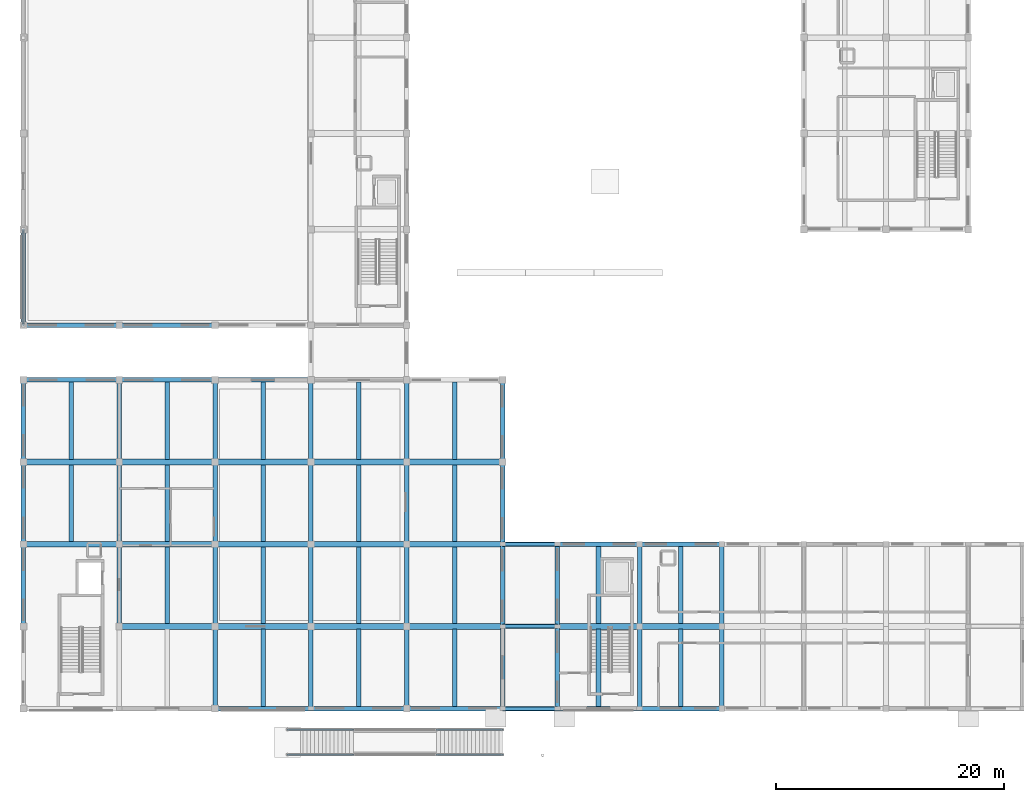
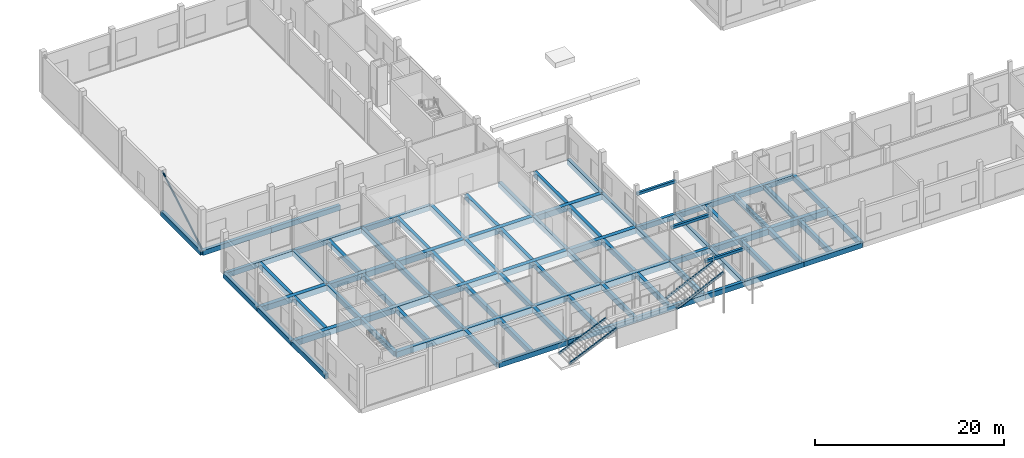
# One storey, part 9 of 41: 84 beams, 5 members.
"""IFC4 building model written with IfcOpenShell, lengths in metres."""

from ifc_helpers import new_model, si_unit, direction, frame, origin, origin_2d, place, context, subcontext, project, spatial, rectangle, hollow_circle, i_section, extrude, material, material_profile, profile_set, type_object, element, save


model = new_model("IFC4")

# Units and contexts
model_context = context("Model", 3, precision=1e-05, world=origin(), true_north=direction((0.0, 1.0)))
body_context = subcontext(model_context, "Body", "Model", "MODEL_VIEW")
ifc_project = project(units=[si_unit("LENGTHUNIT", "METRE"), si_unit("AREAUNIT", "SQUARE_METRE"), si_unit("VOLUMEUNIT", "CUBIC_METRE"), si_unit("PLANEANGLEUNIT", "RADIAN"), si_unit("MASSUNIT", "GRAM", prefix="KILO")], contexts=[model_context])

# Site, building, storey
site_placement = place(None, origin())
site = spatial("IfcSite", under=ifc_project, at=site_placement, CompositionType="ELEMENT")
building_placement = place(site_placement, origin())
building = spatial("IfcBuilding", under=site, at=building_placement, Name="Kahlenmark Community Centre", CompositionType="ELEMENT")
storey_placement = place(building_placement, origin())
storey = spatial("IfcBuildingStorey", under=building, at=storey_placement, Name="L00", CompositionType="ELEMENT", Elevation=0.0)

# Beams
ifc_material_1 = material(Name="Concrete C35/45", Category="concrete")
ifc_material_profile_1 = material_profile(ifc_material_1, rectangle(XDim=0.39990234375, YDim=0.64990234375, at=origin_2d()), Name="RC 400x650")
ifc_profile_set_1 = profile_set([ifc_material_profile_1], Name="Concrete C35/45")
beam_type_1 = type_object("IfcBeamType", Name="BT-BEAM-RC400x650", PredefinedType="BEAM", material=ifc_profile_set_1)
for number, where, z_axis, x_axis, name in (
    (1, (12.39990234375, 16.0, -0.324951171875), (0.0, 1.0, 0.0), (-1.0, 0.0, 0.0), "L00 beam BG-RC400x650"),
    (2, (12.39990234375, 23.199951171875, -0.324951171875), (0.0, 1.0, 0.0), (-1.0, 0.0, 0.0), "L00 beam BG-RC400x650"),
):
    element("IfcBeam", number, at=place(storey_placement, frame(where, z_axis=z_axis, x_axis=x_axis)), inside=storey, type_object=beam_type_1, Name=name, PredefinedType="BEAM", context=body_context, shape_type="SweptSolid", body=[
        extrude(rectangle(XDim=0.39990234375, YDim=0.64990234375, at=origin_2d()), origin(), (0.0, 0.0, 1.0), 7.199951171875),
    ])
beam_1_placement = place(storey_placement, frame((12.39990234375, 30.39990234375, -0.324951171875), z_axis=(0.0, 1.0, 0.0), x_axis=(-1.0, 0.0, 0.0)))
element("IfcBeam", 3, at=beam_1_placement, inside=storey, type_object=beam_type_1, Name="L00 beam BG-RC400x650", PredefinedType="BEAM", context=body_context, shape_type="SweptSolid", body=[
    extrude(rectangle(XDim=0.39990234375, YDim=0.64990234375, at=origin_2d()), origin(), (0.0, 0.0, 1.0), 7.2001953125),
])
for number, where, z_axis, x_axis, name in (
    (4, (20.800048828125, 8.800048828125, -0.324951171875), (0.0, 1.0, 0.0), (-1.0, 0.0, 0.0), "L00 beam BG-RC400x650"),
    (5, (20.800048828125, 16.0, -0.324951171875), (0.0, 1.0, 0.0), (-1.0, 0.0, 0.0), "L00 beam BG-RC400x650"),
    (6, (20.800048828125, 23.199951171875, -0.324951171875), (0.0, 1.0, 0.0), (-1.0, 0.0, 0.0), "L00 beam BG-RC400x650"),
):
    element("IfcBeam", number, at=place(storey_placement, frame(where, z_axis=z_axis, x_axis=x_axis)), inside=storey, type_object=beam_type_1, Name=name, PredefinedType="BEAM", context=body_context, shape_type="SweptSolid", body=[
        extrude(rectangle(XDim=0.39990234375, YDim=0.64990234375, at=origin_2d()), origin(), (0.0, 0.0, 1.0), 7.199951171875),
    ])
beam_2_placement = place(storey_placement, frame((20.800048828125, 30.39990234375, -0.324951171875), z_axis=(0.0, 1.0, 0.0), x_axis=(-1.0, 0.0, 0.0)))
element("IfcBeam", 7, at=beam_2_placement, inside=storey, type_object=beam_type_1, Name="L00 beam BG-RC400x650", PredefinedType="BEAM", context=body_context, shape_type="SweptSolid", body=[
    extrude(rectangle(XDim=0.39990234375, YDim=0.64990234375, at=origin_2d()), origin(), (0.0, 0.0, 1.0), 7.2001953125),
])
for number, where, z_axis, x_axis, name in (
    (8, (29.199951171875, 8.800048828125, -0.324951171875), (0.0, 1.0, 0.0), (-1.0, 0.0, 0.0), "L00 beam BG-RC400x650"),
    (9, (29.199951171875, 16.0, -0.324951171875), (0.0, 1.0, 0.0), (-1.0, 0.0, 0.0), "L00 beam BG-RC400x650"),
    (10, (29.199951171875, 23.199951171875, -0.324951171875), (0.0, 1.0, 0.0), (-1.0, 0.0, 0.0), "L00 beam BG-RC400x650"),
):
    element("IfcBeam", number, at=place(storey_placement, frame(where, z_axis=z_axis, x_axis=x_axis)), inside=storey, type_object=beam_type_1, Name=name, PredefinedType="BEAM", context=body_context, shape_type="SweptSolid", body=[
        extrude(rectangle(XDim=0.39990234375, YDim=0.64990234375, at=origin_2d()), origin(), (0.0, 0.0, 1.0), 7.199951171875),
    ])
beam_3_placement = place(storey_placement, frame((29.199951171875, 30.39990234375, -0.324951171875), z_axis=(0.0, 1.0, 0.0), x_axis=(-1.0, 0.0, 0.0)))
element("IfcBeam", 11, at=beam_3_placement, inside=storey, type_object=beam_type_1, Name="L00 beam BG-RC400x650", PredefinedType="BEAM", context=body_context, shape_type="SweptSolid", body=[
    extrude(rectangle(XDim=0.39990234375, YDim=0.64990234375, at=origin_2d()), origin(), (0.0, 0.0, 1.0), 7.2001953125),
])
for number, where, z_axis, x_axis, name in (
    (12, (37.60009765625, 8.800048828125, -0.324951171875), (0.0, 1.0, 0.0), (-1.0, 0.0, 0.0), "L00 beam BG-RC400x650"),
    (13, (37.60009765625, 16.0, -0.324951171875), (0.0, 1.0, 0.0), (-1.0, 0.0, 0.0), "L00 beam BG-RC400x650"),
    (14, (37.60009765625, 23.199951171875, -0.324951171875), (0.0, 1.0, 0.0), (-1.0, 0.0, 0.0), "L00 beam BG-RC400x650"),
):
    element("IfcBeam", number, at=place(storey_placement, frame(where, z_axis=z_axis, x_axis=x_axis)), inside=storey, type_object=beam_type_1, Name=name, PredefinedType="BEAM", context=body_context, shape_type="SweptSolid", body=[
        extrude(rectangle(XDim=0.39990234375, YDim=0.64990234375, at=origin_2d()), origin(), (0.0, 0.0, 1.0), 7.199951171875),
    ])
beam_4_placement = place(storey_placement, frame((37.60009765625, 30.39990234375, -0.324951171875), z_axis=(0.0, 1.0, 0.0), x_axis=(-1.0, 0.0, 0.0)))
element("IfcBeam", 15, at=beam_4_placement, inside=storey, type_object=beam_type_1, Name="L00 beam BG-RC400x650", PredefinedType="BEAM", context=body_context, shape_type="SweptSolid", body=[
    extrude(rectangle(XDim=0.39990234375, YDim=0.64990234375, at=origin_2d()), origin(), (0.0, 0.0, 1.0), 7.2001953125),
])
for number, where, z_axis, x_axis, name in (
    (16, (58.0, 8.800048828125, -0.324951171875), (0.0, 1.0, 0.0), (-1.0, 0.0, 0.0), "L00 beam BG-RC400x650"),
    (17, (58.0, 16.0, -0.324951171875), (0.0, 1.0, 0.0), (-1.0, 0.0, 0.0), "L00 beam BG-RC400x650"),
    (18, (65.199951171875, 8.800048828125, -0.324951171875), (0.0, 1.0, 0.0), (-1.0, 0.0, 0.0), "L00 beam BG-RC400x650"),
    (19, (65.199951171875, 16.0, -0.324951171875), (0.0, 1.0, 0.0), (-1.0, 0.0, 0.0), "L00 beam BG-RC400x650"),
):
    element("IfcBeam", number, at=place(storey_placement, frame(where, z_axis=z_axis, x_axis=x_axis)), inside=storey, type_object=beam_type_1, Name=name, PredefinedType="BEAM", context=body_context, shape_type="SweptSolid", body=[
        extrude(rectangle(XDim=0.39990234375, YDim=0.64990234375, at=origin_2d()), origin(), (0.0, 0.0, 1.0), 7.199951171875),
    ])
ifc_material_profile_2 = material_profile(ifc_material_1, rectangle(XDim=0.5, YDim=0.75, at=origin_2d()), Name="RC 500x750")
ifc_profile_set_2 = profile_set([ifc_material_profile_2], Name="Concrete C35/45")
beam_type_2 = type_object("IfcBeamType", Name="BT-BEAM-RC500x750", PredefinedType="BEAM", material=ifc_profile_set_2)
beam_5_placement = place(storey_placement, frame((12.39990234375, 16.0, -0.375), z_axis=(1.0, 0.0, 0.0), x_axis=(0.0, 1.0, 0.0)))
element("IfcBeam", 20, at=beam_5_placement, inside=storey, type_object=beam_type_2, Name="L00 beam BG-RC500x750", PredefinedType="BEAM", context=body_context, shape_type="SweptSolid", body=[
    extrude(rectangle(XDim=0.5, YDim=0.75, at=origin_2d()), origin(), (0.0, 0.0, 1.0), 8.400146484375),
])
beam_6_placement = place(storey_placement, frame((20.800048828125, 16.0, -0.375), z_axis=(1.0, 0.0, 0.0), x_axis=(0.0, 1.0, 0.0)))
element("IfcBeam", 21, at=beam_6_placement, inside=storey, type_object=beam_type_2, Name="L00 beam BG-RC500x750", PredefinedType="BEAM", context=body_context, shape_type="SweptSolid", body=[
    extrude(rectangle(XDim=0.5, YDim=0.75, at=origin_2d()), origin(), (0.0, 0.0, 1.0), 8.39990234375),
])
beam_7_placement = place(storey_placement, frame((29.199951171875, 16.0, -0.375), z_axis=(1.0, 0.0, 0.0), x_axis=(0.0, 1.0, 0.0)))
element("IfcBeam", 22, at=beam_7_placement, inside=storey, type_object=beam_type_2, Name="L00 beam BG-RC500x750", PredefinedType="BEAM", context=body_context, shape_type="SweptSolid", body=[
    extrude(rectangle(XDim=0.5, YDim=0.75, at=origin_2d()), origin(), (0.0, 0.0, 1.0), 8.400146484375),
])
for number, where, z_axis, x_axis, name in (
    (23, (37.60009765625, 16.0, -0.375), (1.0, 0.0, 0.0), (0.0, 1.0, 0.0), "L00 beam BG-RC500x750"),
    (24, (4.0, 23.199951171875, -0.375), (1.0, 0.0, 0.0), (0.0, 1.0, 0.0), "L00 beam BG-RC500x750"),
):
    element("IfcBeam", number, at=place(storey_placement, frame(where, z_axis=z_axis, x_axis=x_axis)), inside=storey, type_object=beam_type_2, Name=name, PredefinedType="BEAM", context=body_context, shape_type="SweptSolid", body=[
        extrude(rectangle(XDim=0.5, YDim=0.75, at=origin_2d()), origin(), (0.0, 0.0, 1.0), 8.39990234375),
    ])
beam_8_placement = place(storey_placement, frame((12.39990234375, 23.199951171875, -0.375), z_axis=(1.0, 0.0, 0.0), x_axis=(0.0, 1.0, 0.0)))
element("IfcBeam", 25, at=beam_8_placement, inside=storey, type_object=beam_type_2, Name="L00 beam BG-RC500x750", PredefinedType="BEAM", context=body_context, shape_type="SweptSolid", body=[
    extrude(rectangle(XDim=0.5, YDim=0.75, at=origin_2d()), origin(), (0.0, 0.0, 1.0), 8.400146484375),
])
beam_9_placement = place(storey_placement, frame((20.800048828125, 23.199951171875, -0.375), z_axis=(1.0, 0.0, 0.0), x_axis=(0.0, 1.0, 0.0)))
element("IfcBeam", 26, at=beam_9_placement, inside=storey, type_object=beam_type_2, Name="L00 beam BG-RC500x750", PredefinedType="BEAM", context=body_context, shape_type="SweptSolid", body=[
    extrude(rectangle(XDim=0.5, YDim=0.75, at=origin_2d()), origin(), (0.0, 0.0, 1.0), 8.39990234375),
])
beam_10_placement = place(storey_placement, frame((29.199951171875, 23.199951171875, -0.375), z_axis=(1.0, 0.0, 0.0), x_axis=(0.0, 1.0, 0.0)))
element("IfcBeam", 27, at=beam_10_placement, inside=storey, type_object=beam_type_2, Name="L00 beam BG-RC500x750", PredefinedType="BEAM", context=body_context, shape_type="SweptSolid", body=[
    extrude(rectangle(XDim=0.5, YDim=0.75, at=origin_2d()), origin(), (0.0, 0.0, 1.0), 8.400146484375),
])
for number, where, z_axis, x_axis, name in (
    (28, (37.60009765625, 23.199951171875, -0.375), (1.0, 0.0, 0.0), (0.0, 1.0, 0.0), "L00 beam BG-RC500x750"),
    (29, (4.0, 30.39990234375, -0.375), (1.0, 0.0, 0.0), (0.0, 1.0, 0.0), "L00 beam BG-RC500x750"),
):
    element("IfcBeam", number, at=place(storey_placement, frame(where, z_axis=z_axis, x_axis=x_axis)), inside=storey, type_object=beam_type_2, Name=name, PredefinedType="BEAM", context=body_context, shape_type="SweptSolid", body=[
        extrude(rectangle(XDim=0.5, YDim=0.75, at=origin_2d()), origin(), (0.0, 0.0, 1.0), 8.39990234375),
    ])
beam_11_placement = place(storey_placement, frame((12.39990234375, 30.39990234375, -0.375), z_axis=(1.0, 0.0, 0.0), x_axis=(0.0, 1.0, 0.0)))
element("IfcBeam", 30, at=beam_11_placement, inside=storey, type_object=beam_type_2, Name="L00 beam BG-RC500x750", PredefinedType="BEAM", context=body_context, shape_type="SweptSolid", body=[
    extrude(rectangle(XDim=0.5, YDim=0.75, at=origin_2d()), origin(), (0.0, 0.0, 1.0), 8.400146484375),
])
beam_12_placement = place(storey_placement, frame((20.800048828125, 30.39990234375, -0.375), z_axis=(1.0, 0.0, 0.0), x_axis=(0.0, 1.0, 0.0)))
element("IfcBeam", 31, at=beam_12_placement, inside=storey, type_object=beam_type_2, Name="L00 beam BG-RC500x750", PredefinedType="BEAM", context=body_context, shape_type="SweptSolid", body=[
    extrude(rectangle(XDim=0.5, YDim=0.75, at=origin_2d()), origin(), (0.0, 0.0, 1.0), 8.39990234375),
])
beam_13_placement = place(storey_placement, frame((29.199951171875, 30.39990234375, -0.375), z_axis=(1.0, 0.0, 0.0), x_axis=(0.0, 1.0, 0.0)))
element("IfcBeam", 32, at=beam_13_placement, inside=storey, type_object=beam_type_2, Name="L00 beam BG-RC500x750", PredefinedType="BEAM", context=body_context, shape_type="SweptSolid", body=[
    extrude(rectangle(XDim=0.5, YDim=0.75, at=origin_2d()), origin(), (0.0, 0.0, 1.0), 8.400146484375),
])
beam_14_placement = place(storey_placement, frame((37.60009765625, 30.39990234375, -0.375), z_axis=(1.0, 0.0, 0.0), x_axis=(0.0, 1.0, 0.0)))
element("IfcBeam", 33, at=beam_14_placement, inside=storey, type_object=beam_type_2, Name="L00 beam BG-RC500x750", PredefinedType="BEAM", context=body_context, shape_type="SweptSolid", body=[
    extrude(rectangle(XDim=0.5, YDim=0.75, at=origin_2d()), origin(), (0.0, 0.0, 1.0), 8.39990234375),
])
for number, where, z_axis, x_axis, name in (
    (34, (50.800048828125, 16.0, -0.375), (1.0, 0.0, 0.0), (0.0, 1.0, 0.0), "L00 beam BG-RC500x750"),
    (35, (58.0, 16.0, -0.375), (1.0, 0.0, 0.0), (0.0, 1.0, 0.0), "L00 beam BG-RC500x750"),
):
    element("IfcBeam", number, at=place(storey_placement, frame(where, z_axis=z_axis, x_axis=x_axis)), inside=storey, type_object=beam_type_2, Name=name, PredefinedType="BEAM", context=body_context, shape_type="SweptSolid", body=[
        extrude(rectangle(XDim=0.5, YDim=0.75, at=origin_2d()), origin(), (0.0, 0.0, 1.0), 7.199951171875),
    ])
ifc_material_profile_3 = material_profile(ifc_material_1, rectangle(XDim=0.39990234375, YDim=0.64990234375, at=origin_2d()), Name="RC 400x650")
ifc_profile_set_3 = profile_set([ifc_material_profile_3], Name="Concrete C35/45")
beam_type_3 = type_object("IfcBeamType", Name="BT-JOIST-RC400x650", PredefinedType="JOIST", material=ifc_profile_set_3)
beam_15_placement = place(storey_placement, frame((8.199951171875, 23.447998046875, -0.324951171875), z_axis=(0.0, 1.0, 0.0), x_axis=(-1.0, 0.0, 0.0)))
element("IfcBeam", 36, at=beam_15_placement, inside=storey, type_object=beam_type_3, Name="L00 joist BJ-RC400x650", PredefinedType="JOIST", context=body_context, shape_type="SweptSolid", body=[
    extrude(rectangle(XDim=0.39990234375, YDim=0.64990234375, at=origin_2d()), origin(), (0.0, 0.0, 1.0), 6.7041015625),
])
beam_16_placement = place(storey_placement, frame((8.199951171875, 30.64794921875, -0.324951171875), z_axis=(0.0, 1.0, 0.0), x_axis=(-1.0, 0.0, 0.0)))
element("IfcBeam", 37, at=beam_16_placement, inside=storey, type_object=beam_type_3, Name="L00 joist BJ-RC400x650", PredefinedType="JOIST", context=body_context, shape_type="SweptSolid", body=[
    extrude(rectangle(XDim=0.39990234375, YDim=0.64990234375, at=origin_2d()), origin(), (0.0, 0.0, 1.0), 6.754150390625),
])
beam_17_placement = place(storey_placement, frame((16.60009765625, 16.248046875, -0.324951171875), z_axis=(0.0, 1.0, 0.0), x_axis=(-1.0, 0.0, 0.0)))
element("IfcBeam", 38, at=beam_17_placement, inside=storey, type_object=beam_type_3, Name="L00 joist BJ-RC400x650", PredefinedType="JOIST", context=body_context, shape_type="SweptSolid", body=[
    extrude(rectangle(XDim=0.39990234375, YDim=0.64990234375, at=origin_2d()), origin(), (0.0, 0.0, 1.0), 6.703857421875),
])
beam_18_placement = place(storey_placement, frame((16.60009765625, 23.447998046875, -0.324951171875), z_axis=(0.0, 1.0, 0.0), x_axis=(-1.0, 0.0, 0.0)))
element("IfcBeam", 39, at=beam_18_placement, inside=storey, type_object=beam_type_3, Name="L00 joist BJ-RC400x650", PredefinedType="JOIST", context=body_context, shape_type="SweptSolid", body=[
    extrude(rectangle(XDim=0.39990234375, YDim=0.64990234375, at=origin_2d()), origin(), (0.0, 0.0, 1.0), 6.7041015625),
])
beam_19_placement = place(storey_placement, frame((16.60009765625, 30.64794921875, -0.324951171875), z_axis=(0.0, 1.0, 0.0), x_axis=(-1.0, 0.0, 0.0)))
element("IfcBeam", 40, at=beam_19_placement, inside=storey, type_object=beam_type_3, Name="L00 joist BJ-RC400x650", PredefinedType="JOIST", context=body_context, shape_type="SweptSolid", body=[
    extrude(rectangle(XDim=0.39990234375, YDim=0.64990234375, at=origin_2d()), origin(), (0.0, 0.0, 1.0), 6.754150390625),
])
beam_20_placement = place(storey_placement, frame((25.0, 8.998046875, -0.324951171875), z_axis=(0.0, 1.0, 0.0), x_axis=(-1.0, 0.0, 0.0)))
element("IfcBeam", 41, at=beam_20_placement, inside=storey, type_object=beam_type_3, Name="L00 joist BJ-RC400x650", PredefinedType="JOIST", context=body_context, shape_type="SweptSolid", body=[
    extrude(rectangle(XDim=0.39990234375, YDim=0.64990234375, at=origin_2d()), origin(), (0.0, 0.0, 1.0), 6.75390625),
])
beam_21_placement = place(storey_placement, frame((25.0, 16.248046875, -0.324951171875), z_axis=(0.0, 1.0, 0.0), x_axis=(-1.0, 0.0, 0.0)))
element("IfcBeam", 42, at=beam_21_placement, inside=storey, type_object=beam_type_3, Name="L00 joist BJ-RC400x650", PredefinedType="JOIST", context=body_context, shape_type="SweptSolid", body=[
    extrude(rectangle(XDim=0.39990234375, YDim=0.64990234375, at=origin_2d()), origin(), (0.0, 0.0, 1.0), 6.703857421875),
])
beam_22_placement = place(storey_placement, frame((25.0, 23.447998046875, -0.324951171875), z_axis=(0.0, 1.0, 0.0), x_axis=(-1.0, 0.0, 0.0)))
element("IfcBeam", 43, at=beam_22_placement, inside=storey, type_object=beam_type_3, Name="L00 joist BJ-RC400x650", PredefinedType="JOIST", context=body_context, shape_type="SweptSolid", body=[
    extrude(rectangle(XDim=0.39990234375, YDim=0.64990234375, at=origin_2d()), origin(), (0.0, 0.0, 1.0), 6.7041015625),
])
beam_23_placement = place(storey_placement, frame((25.0, 30.64794921875, -0.324951171875), z_axis=(0.0, 1.0, 0.0), x_axis=(-1.0, 0.0, 0.0)))
element("IfcBeam", 44, at=beam_23_placement, inside=storey, type_object=beam_type_3, Name="L00 joist BJ-RC400x650", PredefinedType="JOIST", context=body_context, shape_type="SweptSolid", body=[
    extrude(rectangle(XDim=0.39990234375, YDim=0.64990234375, at=origin_2d()), origin(), (0.0, 0.0, 1.0), 6.754150390625),
])
beam_24_placement = place(storey_placement, frame((33.39990234375, 8.998046875, -0.324951171875), z_axis=(0.0, 1.0, 0.0), x_axis=(-1.0, 0.0, 0.0)))
element("IfcBeam", 45, at=beam_24_placement, inside=storey, type_object=beam_type_3, Name="L00 joist BJ-RC400x650", PredefinedType="JOIST", context=body_context, shape_type="SweptSolid", body=[
    extrude(rectangle(XDim=0.39990234375, YDim=0.64990234375, at=origin_2d()), origin(), (0.0, 0.0, 1.0), 6.75390625),
])
beam_25_placement = place(storey_placement, frame((33.39990234375, 16.248046875, -0.324951171875), z_axis=(0.0, 1.0, 0.0), x_axis=(-1.0, 0.0, 0.0)))
element("IfcBeam", 46, at=beam_25_placement, inside=storey, type_object=beam_type_3, Name="L00 joist BJ-RC400x650", PredefinedType="JOIST", context=body_context, shape_type="SweptSolid", body=[
    extrude(rectangle(XDim=0.39990234375, YDim=0.64990234375, at=origin_2d()), origin(), (0.0, 0.0, 1.0), 6.703857421875),
])
beam_26_placement = place(storey_placement, frame((33.39990234375, 23.447998046875, -0.324951171875), z_axis=(0.0, 1.0, 0.0), x_axis=(-1.0, 0.0, 0.0)))
element("IfcBeam", 47, at=beam_26_placement, inside=storey, type_object=beam_type_3, Name="L00 joist BJ-RC400x650", PredefinedType="JOIST", context=body_context, shape_type="SweptSolid", body=[
    extrude(rectangle(XDim=0.39990234375, YDim=0.64990234375, at=origin_2d()), origin(), (0.0, 0.0, 1.0), 6.7041015625),
])
beam_27_placement = place(storey_placement, frame((33.39990234375, 30.64794921875, -0.324951171875), z_axis=(0.0, 1.0, 0.0), x_axis=(-1.0, 0.0, 0.0)))
element("IfcBeam", 48, at=beam_27_placement, inside=storey, type_object=beam_type_3, Name="L00 joist BJ-RC400x650", PredefinedType="JOIST", context=body_context, shape_type="SweptSolid", body=[
    extrude(rectangle(XDim=0.39990234375, YDim=0.64990234375, at=origin_2d()), origin(), (0.0, 0.0, 1.0), 6.754150390625),
])
beam_28_placement = place(storey_placement, frame((41.800048828125, 8.998046875, -0.324951171875), z_axis=(0.0, 1.0, 0.0), x_axis=(-1.0, 0.0, 0.0)))
element("IfcBeam", 49, at=beam_28_placement, inside=storey, type_object=beam_type_3, Name="L00 joist BJ-RC400x650", PredefinedType="JOIST", context=body_context, shape_type="SweptSolid", body=[
    extrude(rectangle(XDim=0.39990234375, YDim=0.64990234375, at=origin_2d()), origin(), (0.0, 0.0, 1.0), 6.75390625),
])
beam_29_placement = place(storey_placement, frame((41.800048828125, 16.248046875, -0.324951171875), z_axis=(0.0, 1.0, 0.0), x_axis=(-1.0, 0.0, 0.0)))
element("IfcBeam", 50, at=beam_29_placement, inside=storey, type_object=beam_type_3, Name="L00 joist BJ-RC400x650", PredefinedType="JOIST", context=body_context, shape_type="SweptSolid", body=[
    extrude(rectangle(XDim=0.39990234375, YDim=0.64990234375, at=origin_2d()), origin(), (0.0, 0.0, 1.0), 6.703857421875),
])
beam_30_placement = place(storey_placement, frame((41.800048828125, 23.447998046875, -0.324951171875), z_axis=(0.0, 1.0, 0.0), x_axis=(-1.0, 0.0, 0.0)))
element("IfcBeam", 51, at=beam_30_placement, inside=storey, type_object=beam_type_3, Name="L00 joist BJ-RC400x650", PredefinedType="JOIST", context=body_context, shape_type="SweptSolid", body=[
    extrude(rectangle(XDim=0.39990234375, YDim=0.64990234375, at=origin_2d()), origin(), (0.0, 0.0, 1.0), 6.7041015625),
])
beam_31_placement = place(storey_placement, frame((41.800048828125, 30.64794921875, -0.324951171875), z_axis=(0.0, 1.0, 0.0), x_axis=(-1.0, 0.0, 0.0)))
element("IfcBeam", 52, at=beam_31_placement, inside=storey, type_object=beam_type_3, Name="L00 joist BJ-RC400x650", PredefinedType="JOIST", context=body_context, shape_type="SweptSolid", body=[
    extrude(rectangle(XDim=0.39990234375, YDim=0.64990234375, at=origin_2d()), origin(), (0.0, 0.0, 1.0), 6.754150390625),
])
for number, where, z_axis, x_axis, name in (
    (53, (54.39990234375, 8.998046875, -0.324951171875), (0.0, 1.0, 0.0), (-1.0, 0.0, 0.0), "L00 joist BJ-RC400x650"),
    (54, (54.39990234375, 16.248046875, -0.324951171875), (0.0, 1.0, 0.0), (-1.0, 0.0, 0.0), "L00 joist BJ-RC400x650"),
    (55, (61.60009765625, 8.998046875, -0.324951171875), (0.0, 1.0, 0.0), (-1.0, 0.0, 0.0), "L00 joist BJ-RC400x650"),
    (56, (61.60009765625, 16.248046875, -0.324951171875), (0.0, 1.0, 0.0), (-1.0, 0.0, 0.0), "L00 joist BJ-RC400x650"),
):
    element("IfcBeam", number, at=place(storey_placement, frame(where, z_axis=z_axis, x_axis=x_axis)), inside=storey, type_object=beam_type_3, Name=name, PredefinedType="JOIST", context=body_context, shape_type="SweptSolid", body=[
        extrude(rectangle(XDim=0.39990234375, YDim=0.64990234375, at=origin_2d()), origin(), (0.0, 0.0, 1.0), 6.75390625),
    ])
ifc_material_profile_4 = material_profile(ifc_material_1, rectangle(XDim=0.300048828125, YDim=0.35009765625, at=origin_2d()), Name="RC 300x350")
ifc_profile_set_4 = profile_set([ifc_material_profile_4], Name="Concrete C35/45")
beam_type_4 = type_object("IfcBeamType", Name="BT-LINTEL-RC300x350", PredefinedType="LINTEL", material=ifc_profile_set_4)
for number, where, z_axis, x_axis, name in (
    (57, (46.0, 8.800048828125, 4.175048828125), (1.0, 0.0, 0.0), (0.0, 1.0, 0.0), "L00 lintel LN-RC350"),
    (58, (46.0, 16.0, 4.175048828125), (1.0, 0.0, 0.0), (0.0, 1.0, 0.0), "L00 lintel LN-RC350"),
    (59, (46.0, 23.199951171875, 4.175048828125), (1.0, 0.0, 0.0), (0.0, 1.0, 0.0), "L00 lintel LN-RC350"),
):
    element("IfcBeam", number, at=place(storey_placement, frame(where, z_axis=z_axis, x_axis=x_axis)), inside=storey, type_object=beam_type_4, Name=name, PredefinedType="LINTEL", context=body_context, shape_type="SweptSolid", body=[
        extrude(rectangle(XDim=0.300048828125, YDim=0.35009765625, at=origin_2d()), origin(), (0.0, 0.0, 1.0), 4.800048828125),
    ])
ifc_material_profile_5 = material_profile(ifc_material_1, rectangle(XDim=0.39990234375, YDim=0.64990234375, at=origin_2d()), Name="RC 400x650")
ifc_profile_set_5 = profile_set([ifc_material_profile_5], Name="Concrete C35/45")
beam_type_5 = type_object("IfcBeamType", Name="BT-SPANDREL-RC400x650", PredefinedType="SPANDREL", material=ifc_profile_set_5)
beam_32_placement = place(storey_placement, frame((20.800048828125, 8.800048828125, -0.324951171875), z_axis=(1.0, 0.0, 0.0), x_axis=(0.0, 1.0, 0.0)))
element("IfcBeam", 60, at=beam_32_placement, inside=storey, type_object=beam_type_5, Name="L00 spandrel SP-RC400x650", PredefinedType="SPANDREL", context=body_context, shape_type="SweptSolid", body=[
    extrude(rectangle(XDim=0.39990234375, YDim=0.64990234375, at=origin_2d()), origin(), (0.0, 0.0, 1.0), 8.39990234375),
])
beam_33_placement = place(storey_placement, frame((29.199951171875, 8.800048828125, -0.324951171875), z_axis=(1.0, 0.0, 0.0), x_axis=(0.0, 1.0, 0.0)))
element("IfcBeam", 61, at=beam_33_placement, inside=storey, type_object=beam_type_5, Name="L00 spandrel SP-RC400x650", PredefinedType="SPANDREL", context=body_context, shape_type="SweptSolid", body=[
    extrude(rectangle(XDim=0.39990234375, YDim=0.64990234375, at=origin_2d()), origin(), (0.0, 0.0, 1.0), 8.400146484375),
])
for number, where, z_axis, x_axis, name in (
    (62, (37.60009765625, 8.800048828125, -0.324951171875), (1.0, 0.0, 0.0), (0.0, 1.0, 0.0), "L00 spandrel SP-RC400x650"),
    (63, (4.0, 37.60009765625, -0.324951171875), (1.0, 0.0, 0.0), (0.0, 1.0, 0.0), "L00 spandrel SP-RC400x650"),
):
    element("IfcBeam", number, at=place(storey_placement, frame(where, z_axis=z_axis, x_axis=x_axis)), inside=storey, type_object=beam_type_5, Name=name, PredefinedType="SPANDREL", context=body_context, shape_type="SweptSolid", body=[
        extrude(rectangle(XDim=0.39990234375, YDim=0.64990234375, at=origin_2d()), origin(), (0.0, 0.0, 1.0), 8.39990234375),
    ])
beam_34_placement = place(storey_placement, frame((12.39990234375, 37.60009765625, -0.324951171875), z_axis=(1.0, 0.0, 0.0), x_axis=(0.0, 1.0, 0.0)))
element("IfcBeam", 64, at=beam_34_placement, inside=storey, type_object=beam_type_5, Name="L00 spandrel SP-RC400x650", PredefinedType="SPANDREL", context=body_context, shape_type="SweptSolid", body=[
    extrude(rectangle(XDim=0.39990234375, YDim=0.64990234375, at=origin_2d()), origin(), (0.0, 0.0, 1.0), 8.400146484375),
])
beam_35_placement = place(storey_placement, frame((20.800048828125, 37.60009765625, -0.324951171875), z_axis=(1.0, 0.0, 0.0), x_axis=(0.0, 1.0, 0.0)))
element("IfcBeam", 65, at=beam_35_placement, inside=storey, type_object=beam_type_5, Name="L00 spandrel SP-RC400x650", PredefinedType="SPANDREL", context=body_context, shape_type="SweptSolid", body=[
    extrude(rectangle(XDim=0.39990234375, YDim=0.64990234375, at=origin_2d()), origin(), (0.0, 0.0, 1.0), 8.39990234375),
])
for number, where, z_axis, x_axis, name in (
    (66, (4.0, 16.0, -0.324951171875), (0.0, 1.0, 0.0), (-1.0, 0.0, 0.0), "L00 spandrel SP-RC400x650"),
    (67, (4.0, 23.199951171875, -0.324951171875), (0.0, 1.0, 0.0), (-1.0, 0.0, 0.0), "L00 spandrel SP-RC400x650"),
):
    element("IfcBeam", number, at=place(storey_placement, frame(where, z_axis=z_axis, x_axis=x_axis)), inside=storey, type_object=beam_type_5, Name=name, PredefinedType="SPANDREL", context=body_context, shape_type="SweptSolid", body=[
        extrude(rectangle(XDim=0.39990234375, YDim=0.64990234375, at=origin_2d()), origin(), (0.0, 0.0, 1.0), 7.199951171875),
    ])
beam_36_placement = place(storey_placement, frame((4.0, 30.39990234375, -0.324951171875), z_axis=(0.0, 1.0, 0.0), x_axis=(-1.0, 0.0, 0.0)))
element("IfcBeam", 68, at=beam_36_placement, inside=storey, type_object=beam_type_5, Name="L00 spandrel SP-RC400x650", PredefinedType="SPANDREL", context=body_context, shape_type="SweptSolid", body=[
    extrude(rectangle(XDim=0.39990234375, YDim=0.64990234375, at=origin_2d()), origin(), (0.0, 0.0, 1.0), 7.2001953125),
])
for number, where, z_axis, x_axis, name in (
    (69, (46.0, 8.800048828125, -0.324951171875), (0.0, 1.0, 0.0), (-1.0, 0.0, 0.0), "L00 spandrel SP-RC400x650"),
    (70, (46.0, 16.0, -0.324951171875), (0.0, 1.0, 0.0), (-1.0, 0.0, 0.0), "L00 spandrel SP-RC400x650"),
    (71, (46.0, 23.199951171875, -0.324951171875), (0.0, 1.0, 0.0), (-1.0, 0.0, 0.0), "L00 spandrel SP-RC400x650"),
):
    element("IfcBeam", number, at=place(storey_placement, frame(where, z_axis=z_axis, x_axis=x_axis)), inside=storey, type_object=beam_type_5, Name=name, PredefinedType="SPANDREL", context=body_context, shape_type="SweptSolid", body=[
        extrude(rectangle(XDim=0.39990234375, YDim=0.64990234375, at=origin_2d()), origin(), (0.0, 0.0, 1.0), 7.199951171875),
    ])
beam_37_placement = place(storey_placement, frame((46.0, 30.39990234375, -0.324951171875), z_axis=(0.0, 1.0, 0.0), x_axis=(-1.0, 0.0, 0.0)))
element("IfcBeam", 72, at=beam_37_placement, inside=storey, type_object=beam_type_5, Name="L00 spandrel SP-RC400x650", PredefinedType="SPANDREL", context=body_context, shape_type="SweptSolid", body=[
    extrude(rectangle(XDim=0.39990234375, YDim=0.64990234375, at=origin_2d()), origin(), (0.0, 0.0, 1.0), 7.2001953125),
])
beam_38_placement = place(storey_placement, frame((4.0, 42.39990234375, -0.324951171875), z_axis=(1.0, 0.0, 0.0), x_axis=(0.0, 1.0, 0.0)))
element("IfcBeam", 73, at=beam_38_placement, inside=storey, type_object=beam_type_5, Name="L00 spandrel SP-RC400x650", PredefinedType="SPANDREL", context=body_context, shape_type="SweptSolid", body=[
    extrude(rectangle(XDim=0.39990234375, YDim=0.64990234375, at=origin_2d()), origin(), (0.0, 0.0, 1.0), 8.39990234375),
])
for number, where, z_axis, x_axis, name in (
    (74, (12.39990234375, 42.39990234375, -0.324951171875), (1.0, 0.0, 0.0), (0.0, 1.0, 0.0), "L00 spandrel SP-RC400x650"),
    (75, (4.0, 42.39990234375, -0.324951171875), (0.0, 1.0, 0.0), (-1.0, 0.0, 0.0), "L00 spandrel SP-RC400x650"),
):
    element("IfcBeam", number, at=place(storey_placement, frame(where, z_axis=z_axis, x_axis=x_axis)), inside=storey, type_object=beam_type_5, Name=name, PredefinedType="SPANDREL", context=body_context, shape_type="SweptSolid", body=[
        extrude(rectangle(XDim=0.39990234375, YDim=0.64990234375, at=origin_2d()), origin(), (0.0, 0.0, 1.0), 8.400146484375),
    ])
for number, where, z_axis, x_axis, name in (
    (76, (50.800048828125, 8.800048828125, -0.324951171875), (1.0, 0.0, 0.0), (0.0, 1.0, 0.0), "L00 spandrel SP-RC400x650"),
    (77, (58.0, 8.800048828125, -0.324951171875), (1.0, 0.0, 0.0), (0.0, 1.0, 0.0), "L00 spandrel SP-RC400x650"),
    (78, (50.800048828125, 23.199951171875, -0.324951171875), (1.0, 0.0, 0.0), (0.0, 1.0, 0.0), "L00 spandrel SP-RC400x650"),
    (79, (58.0, 23.199951171875, -0.324951171875), (1.0, 0.0, 0.0), (0.0, 1.0, 0.0), "L00 spandrel SP-RC400x650"),
    (80, (50.800048828125, 8.800048828125, -0.324951171875), (0.0, 1.0, 0.0), (-1.0, 0.0, 0.0), "L00 spandrel SP-RC400x650"),
    (81, (50.800048828125, 16.0, -0.324951171875), (0.0, 1.0, 0.0), (-1.0, 0.0, 0.0), "L00 spandrel SP-RC400x650"),
):
    element("IfcBeam", number, at=place(storey_placement, frame(where, z_axis=z_axis, x_axis=x_axis)), inside=storey, type_object=beam_type_5, Name=name, PredefinedType="SPANDREL", context=body_context, shape_type="SweptSolid", body=[
        extrude(rectangle(XDim=0.39990234375, YDim=0.64990234375, at=origin_2d()), origin(), (0.0, 0.0, 1.0), 7.199951171875),
    ])
for number, where, z_axis, x_axis, name in (
    (82, (46.0, 8.800048828125, -0.324951171875), (1.0, 0.0, 0.0), (0.0, 1.0, 0.0), "L00 spandrel SP-RC400x650"),
    (83, (46.0, 16.0, -0.324951171875), (1.0, 0.0, 0.0), (0.0, 1.0, 0.0), "L00 spandrel SP-RC400x650"),
    (84, (46.0, 23.199951171875, -0.324951171875), (1.0, 0.0, 0.0), (0.0, 1.0, 0.0), "L00 spandrel SP-RC400x650"),
):
    element("IfcBeam", number, at=place(storey_placement, frame(where, z_axis=z_axis, x_axis=x_axis)), inside=storey, type_object=beam_type_5, Name=name, PredefinedType="SPANDREL", context=body_context, shape_type="SweptSolid", body=[
        extrude(rectangle(XDim=0.39990234375, YDim=0.64990234375, at=origin_2d()), origin(), (0.0, 0.0, 1.0), 4.800048828125),
    ])

# Members
ifc_material_2 = material(Name="Steel S355", Category="steel")
ifc_material_profile_6 = material_profile(ifc_material_2, hollow_circle(Radius=0.109619140625, WallThickness=0.010009765625, at=origin_2d()), Name="CHS 219.1x10")
ifc_profile_set_6 = profile_set([ifc_material_profile_6], Name="Steel S355")
member_type_1 = type_object("IfcMemberType", Name="MT-BRACE-CHS219.1x10", PredefinedType="BRACE", material=ifc_profile_set_6)
member_1_placement = place(storey_placement, frame((4.0, 42.39990234375, 0.14990234375), z_axis=(0.0, 0.861533572132, 0.507700604776), x_axis=(-1.0, 0.0, 0.0)))
element("IfcMember", 85, at=member_1_placement, inside=storey, type_object=member_type_1, Name="L00 brace BF-DIAG", PredefinedType="BRACE", context=body_context, shape_type="SweptSolid", body=[
    extrude(hollow_circle(Radius=0.109619140625, WallThickness=0.010009765625, at=origin_2d()), origin(), (0.0, 0.0, 1.0), 9.750244140625),
])
ifc_material_profile_7 = material_profile(ifc_material_2, i_section(OverallWidth=0.14990234375, OverallDepth=0.300048828125, WebThickness=0.007080078125, FlangeThickness=0.0107421875, at=origin_2d()), Name="IPE 300")
ifc_profile_set_7 = profile_set([ifc_material_profile_7], Name="Steel S355")
member_type_2 = type_object("IfcMemberType", Name="MT-STRINGER-IPE300", PredefinedType="STRINGER", material=ifc_profile_set_7)
member_2_placement = place(storey_placement, frame((27.139892578125, 4.7548828125, 0.0), z_axis=(0.91491570282, 0.0, 0.403644963715), x_axis=(0.0, 1.0, 0.0)))
element("IfcMember", 86, at=member_2_placement, inside=storey, type_object=member_type_2, Name="ST-09 vermilion stringer 1.1", PredefinedType="STRINGER", context=body_context, shape_type="SweptSolid", body=[
    extrude(i_section(OverallWidth=0.14990234375, OverallDepth=0.300048828125, WebThickness=0.007080078125, FlangeThickness=0.0107421875, at=origin_2d()), origin(), (0.0, 0.0, 1.0), 6.317626953125),
])
member_3_placement = place(storey_placement, frame((40.219970703125, 4.7548828125, 2.550048828125), z_axis=(0.906627779276, 0.0, 0.421931356793), x_axis=(0.0, 1.0, 0.0)))
element("IfcMember", 87, at=member_3_placement, inside=storey, type_object=member_type_2, Name="ST-09 vermilion stringer 1.2", PredefinedType="STRINGER", context=body_context, shape_type="SweptSolid", body=[
    extrude(i_section(OverallWidth=0.14990234375, OverallDepth=0.300048828125, WebThickness=0.007080078125, FlangeThickness=0.0107421875, at=origin_2d()), origin(), (0.0, 0.0, 1.0), 6.375244140625),
])
member_4_placement = place(storey_placement, frame((27.139892578125, 6.945068359375, 0.0), z_axis=(0.91491570282, 0.0, 0.403644963715), x_axis=(0.0, 1.0, 0.0)))
element("IfcMember", 88, at=member_4_placement, inside=storey, type_object=member_type_2, Name="ST-09 vermilion stringer 2.1", PredefinedType="STRINGER", context=body_context, shape_type="SweptSolid", body=[
    extrude(i_section(OverallWidth=0.14990234375, OverallDepth=0.300048828125, WebThickness=0.007080078125, FlangeThickness=0.0107421875, at=origin_2d()), origin(), (0.0, 0.0, 1.0), 6.317626953125),
])
member_5_placement = place(storey_placement, frame((40.219970703125, 6.945068359375, 2.550048828125), z_axis=(0.906627779276, 0.0, 0.421931356793), x_axis=(0.0, 1.0, 0.0)))
element("IfcMember", 89, at=member_5_placement, inside=storey, type_object=member_type_2, Name="ST-09 vermilion stringer 2.2", PredefinedType="STRINGER", context=body_context, shape_type="SweptSolid", body=[
    extrude(i_section(OverallWidth=0.14990234375, OverallDepth=0.300048828125, WebThickness=0.007080078125, FlangeThickness=0.0107421875, at=origin_2d()), origin(), (0.0, 0.0, 1.0), 6.375244140625),
])

save(model, "model.ifc")
